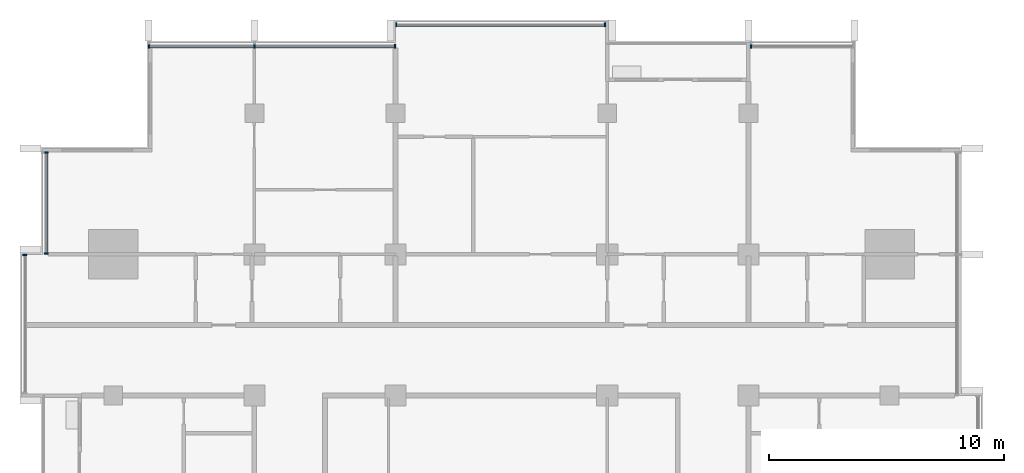
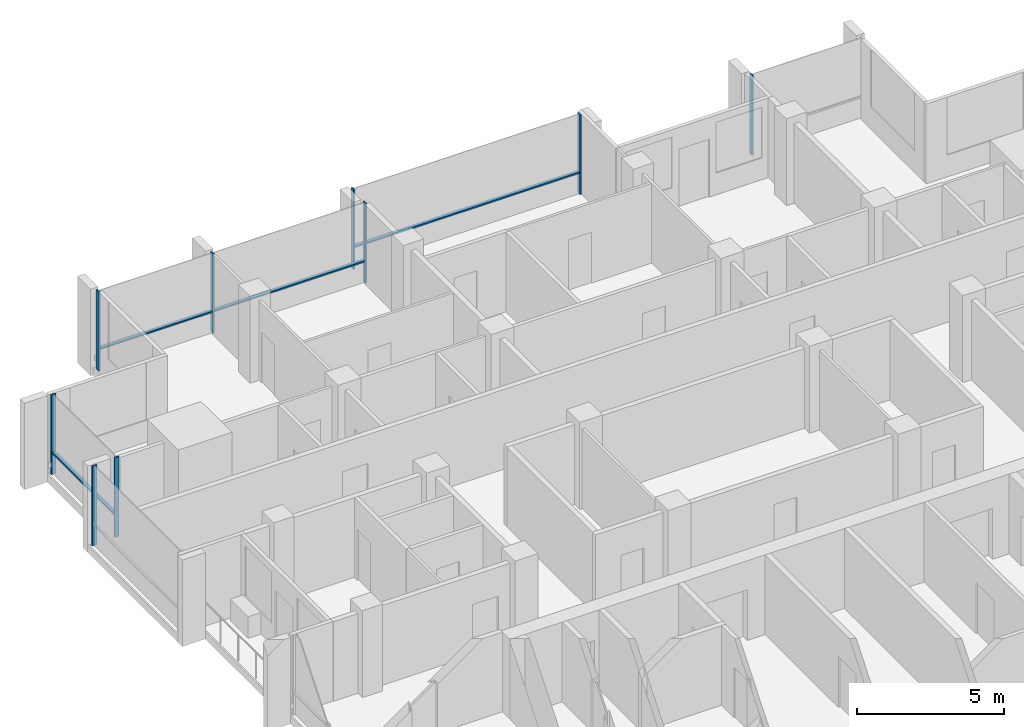
# One storey, part 4 of 16: 13 members, 5 elements without a shape of their own.
"""IFC4 building model written with IfcOpenShell, lengths in metres."""

from ifc_helpers import new_model, si_unit, direction, frame, origin, origin_2d, place, context, subcontext, project, spatial, rectangle, extrude, material, material_profile, profile_set, type_object, element, aggregate, save


model = new_model("IFC4")

# Units and contexts
model_context = context("Model", 3, precision=1e-05, world=origin(), true_north=direction((0.0, 1.0)))
body_context = subcontext(model_context, "Body", "Model", "MODEL_VIEW")
ifc_project = project(units=[si_unit("LENGTHUNIT", "METRE"), si_unit("AREAUNIT", "SQUARE_METRE"), si_unit("VOLUMEUNIT", "CUBIC_METRE"), si_unit("PLANEANGLEUNIT", "RADIAN"), si_unit("MASSUNIT", "GRAM", prefix="KILO")], contexts=[model_context])

# Site, building, storey
site_placement = place(None, origin())
site = spatial("IfcSite", under=ifc_project, at=site_placement, CompositionType="ELEMENT")
building_placement = place(site_placement, origin())
building = spatial("IfcBuilding", under=site, at=building_placement, Name="Finial Court Residences", CompositionType="ELEMENT")
storey_placement = place(building_placement, frame((0.0, 0.0, 233.89990234375)))
storey = spatial("IfcBuildingStorey", under=building, at=storey_placement, Name="L59", CompositionType="ELEMENT", Elevation=233.89990234375)

# Curtain wall, members
ifc_material = material(Name="Bronze anodised aluminium", Category="aluminium")
curtain_wall_type = type_object("IfcCurtainWallType", Name="Unitised curtain wall, upper zones", PredefinedType="NOTDEFINED", material=ifc_material)
curtain_wall_1_placement = place(storey_placement, origin())
curtain_wall_1 = element("IfcCurtainWall", 1, at=curtain_wall_1_placement, inside=storey, type_object=curtain_wall_type, Name="E-L59-CW-N1", PredefinedType="NOTDEFINED")
ifc_material_profile_1 = material_profile(ifc_material, rectangle(XDim=0.175048828125, YDim=0.06005859375, at=origin_2d()), Name="CW2 mullion 60 x 175")
ifc_profile_set_1 = profile_set([ifc_material_profile_1], Name="Bronze anodised aluminium")
member_type_1 = type_object("IfcMemberType", Name="CW2 mullion 60 x 175", PredefinedType="MULLION", material=ifc_profile_set_1)
member_1_placement = place(storey_placement, frame((-14.969970703125, 16.35009765625, 0.0), z_axis=(0.0, 0.0, 1.0), x_axis=(0.0, 1.0, 0.0)))
member_1 = element("IfcMember", 2, at=member_1_placement, type_object=member_type_1, Name="CW2 mullion 1", PredefinedType="MULLION", context=body_context, shape_type="SweptSolid", body=[
    extrude(rectangle(XDim=0.175048828125, YDim=0.06005859375, at=origin_2d()), origin(), (0.0, 0.0, 1.0), 3.300048828125),
])
member_2_placement = place(storey_placement, frame((-10.5, 16.35009765625, 0.0), z_axis=(0.0, 0.0, 1.0), x_axis=(0.0, 1.0, 0.0)))
member_2 = element("IfcMember", 3, at=member_2_placement, type_object=member_type_1, Name="CW2 mullion 2", PredefinedType="MULLION", context=body_context, shape_type="SweptSolid", body=[
    extrude(rectangle(XDim=0.175048828125, YDim=0.06005859375, at=origin_2d()), origin(), (0.0, 0.0, 1.0), 3.300048828125),
])
member_3_placement = place(storey_placement, frame((-4.530029296875, 16.35009765625, 0.0), z_axis=(0.0, 0.0, 1.0), x_axis=(0.0, 1.0, 0.0)))
member_3 = element("IfcMember", 4, at=member_3_placement, type_object=member_type_1, Name="CW2 mullion 3", PredefinedType="MULLION", context=body_context, shape_type="SweptSolid", body=[
    extrude(rectangle(XDim=0.175048828125, YDim=0.06005859375, at=origin_2d()), origin(), (0.0, 0.0, 1.0), 3.300048828125),
])

curtain_wall_2_placement = place(storey_placement, origin())
curtain_wall_2 = element("IfcCurtainWall", 5, at=curtain_wall_2_placement, inside=storey, type_object=curtain_wall_type, Name="E-L59-CW-N2", PredefinedType="NOTDEFINED")
member_4_placement = place(storey_placement, frame((-4.469970703125, 17.25, 0.0), z_axis=(0.0, 0.0, 1.0), x_axis=(0.0, 1.0, 0.0)))
member_4 = element("IfcMember", 6, at=member_4_placement, type_object=member_type_1, Name="CW2 mullion 1", PredefinedType="MULLION", context=body_context, shape_type="SweptSolid", body=[
    extrude(rectangle(XDim=0.175048828125, YDim=0.06005859375, at=origin_2d()), origin(), (0.0, 0.0, 1.0), 3.300048828125),
])
member_5_placement = place(storey_placement, frame((4.39501953125, 17.25, 0.0), z_axis=(0.0, 0.0, 1.0), x_axis=(0.0, 1.0, 0.0)))
member_5 = element("IfcMember", 7, at=member_5_placement, type_object=member_type_1, Name="CW2 mullion 2", PredefinedType="MULLION", context=body_context, shape_type="SweptSolid", body=[
    extrude(rectangle(XDim=0.175048828125, YDim=0.06005859375, at=origin_2d()), origin(), (0.0, 0.0, 1.0), 3.300048828125),
])

# Curtain wall, member
curtain_wall_3_placement = place(storey_placement, origin())
curtain_wall_3 = element("IfcCurtainWall", 8, at=curtain_wall_3_placement, inside=storey, type_object=curtain_wall_type, Name="E-L59-CW-N3", PredefinedType="NOTDEFINED")
member_6_placement = place(storey_placement, frame((10.60498046875, 16.35009765625, 0.0), z_axis=(0.0, 0.0, 1.0), x_axis=(0.0, 1.0, 0.0)))
member_6 = element("IfcMember", 9, at=member_6_placement, type_object=member_type_1, Name="CW2 mullion 1", PredefinedType="MULLION", context=body_context, shape_type="SweptSolid", body=[
    extrude(rectangle(XDim=0.175048828125, YDim=0.06005859375, at=origin_2d()), origin(), (0.0, 0.0, 1.0), 3.300048828125),
])
aggregate(curtain_wall_3, [member_6])

curtain_wall_4_placement = place(storey_placement, origin())
curtain_wall_4 = element("IfcCurtainWall", 10, at=curtain_wall_4_placement, inside=storey, type_object=curtain_wall_type, Name="E-L59-CW-W11", PredefinedType="NOTDEFINED")
member_7_placement = place(storey_placement, frame((-20.25, 7.469970703125, 0.0), z_axis=(0.0, 0.0, 1.0), x_axis=(-1.0, 0.0, 0.0)))
member_7 = element("IfcMember", 11, at=member_7_placement, type_object=member_type_1, Name="CW2 mullion 2", PredefinedType="MULLION", context=body_context, shape_type="SweptSolid", body=[
    extrude(rectangle(XDim=0.175048828125, YDim=0.06005859375, at=origin_2d()), origin(), (0.0, 0.0, 1.0), 3.300048828125),
])
aggregate(curtain_wall_4, [member_7])

# Curtain wall, members
curtain_wall_5_placement = place(storey_placement, origin())
curtain_wall_5 = element("IfcCurtainWall", 12, at=curtain_wall_5_placement, inside=storey, type_object=curtain_wall_type, Name="E-L59-CW-W12", PredefinedType="NOTDEFINED")
member_8_placement = place(storey_placement, frame((-19.35009765625, 7.530029296875, 0.0), z_axis=(0.0, 0.0, 1.0), x_axis=(-1.0, 0.0, 0.0)))
member_8 = element("IfcMember", 13, at=member_8_placement, type_object=member_type_1, Name="CW2 mullion 1", PredefinedType="MULLION", context=body_context, shape_type="SweptSolid", body=[
    extrude(rectangle(XDim=0.175048828125, YDim=0.06005859375, at=origin_2d()), origin(), (0.0, 0.0, 1.0), 3.300048828125),
])
member_9_placement = place(storey_placement, frame((-19.35009765625, 11.820068359375, 0.0), z_axis=(0.0, 0.0, 1.0), x_axis=(-1.0, 0.0, 0.0)))
member_9 = element("IfcMember", 14, at=member_9_placement, type_object=member_type_1, Name="CW2 mullion 2", PredefinedType="MULLION", context=body_context, shape_type="SweptSolid", body=[
    extrude(rectangle(XDim=0.175048828125, YDim=0.06005859375, at=origin_2d()), origin(), (0.0, 0.0, 1.0), 3.300048828125),
])

# Member
ifc_material_profile_2 = material_profile(ifc_material, rectangle(XDim=0.139892578125, YDim=0.06005859375, at=origin_2d()), Name="CW2 transom 60 x 140")
ifc_profile_set_2 = profile_set([ifc_material_profile_2], Name="Bronze anodised aluminium")
member_type_2 = type_object("IfcMemberType", Name="CW2 transom 60 x 140", PredefinedType="USERDEFINED", material=ifc_profile_set_2)
member_10_placement = place(storey_placement, frame((-14.93994140625, 16.35009765625, 0.900146484375), z_axis=(1.0, 0.0, 0.0), x_axis=(0.0, 1.0, 0.0)))
member_10 = element("IfcMember", 15, at=member_10_placement, type_object=member_type_2, Name="CW2 transom 1.1", ObjectType="TRANSOM", PredefinedType="USERDEFINED", context=body_context, shape_type="SweptSolid", body=[
    extrude(rectangle(XDim=0.139892578125, YDim=0.06005859375, at=origin_2d()), origin(), (0.0, 0.0, 1.0), 4.409912109375),
])

member_11_placement = place(storey_placement, frame((-10.469970703125, 16.35009765625, 0.900146484375), z_axis=(1.0, 0.0, 0.0), x_axis=(0.0, 1.0, 0.0)))
member_11 = element("IfcMember", 16, at=member_11_placement, type_object=member_type_2, Name="CW2 transom 2.1", ObjectType="TRANSOM", PredefinedType="USERDEFINED", context=body_context, shape_type="SweptSolid", body=[
    extrude(rectangle(XDim=0.139892578125, YDim=0.06005859375, at=origin_2d()), origin(), (0.0, 0.0, 1.0), 5.909912109375),
])

aggregate(curtain_wall_1, [member_1, member_2, member_3, member_10, member_11])

member_12_placement = place(storey_placement, frame((-4.43994140625, 17.25, 0.900146484375), z_axis=(1.0, 0.0, 0.0), x_axis=(0.0, 1.0, 0.0)))
member_12 = element("IfcMember", 17, at=member_12_placement, type_object=member_type_2, Name="CW2 transom 1.1", ObjectType="TRANSOM", PredefinedType="USERDEFINED", context=body_context, shape_type="SweptSolid", body=[
    extrude(rectangle(XDim=0.139892578125, YDim=0.06005859375, at=origin_2d()), origin(), (0.0, 0.0, 1.0), 8.804931640625),
])

aggregate(curtain_wall_2, [member_4, member_5, member_12])

member_13_placement = place(storey_placement, frame((-19.35009765625, 7.56005859375, 0.900146484375), z_axis=(0.0, 1.0, 0.0), x_axis=(-1.0, 0.0, 0.0)))
member_13 = element("IfcMember", 18, at=member_13_placement, type_object=member_type_2, Name="CW2 transom 1.1", ObjectType="TRANSOM", PredefinedType="USERDEFINED", context=body_context, shape_type="SweptSolid", body=[
    extrude(rectangle(XDim=0.139892578125, YDim=0.06005859375, at=origin_2d()), origin(), (0.0, 0.0, 1.0), 4.22998046875),
])

aggregate(curtain_wall_5, [member_8, member_9, member_13])

save(model, "model.ifc")
